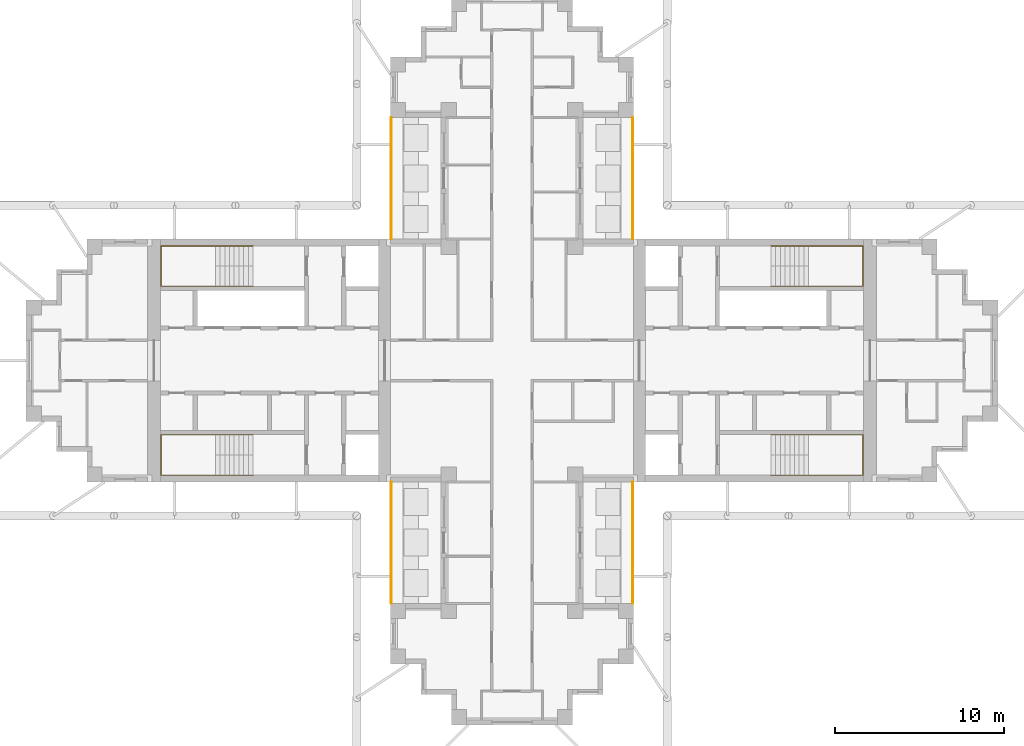
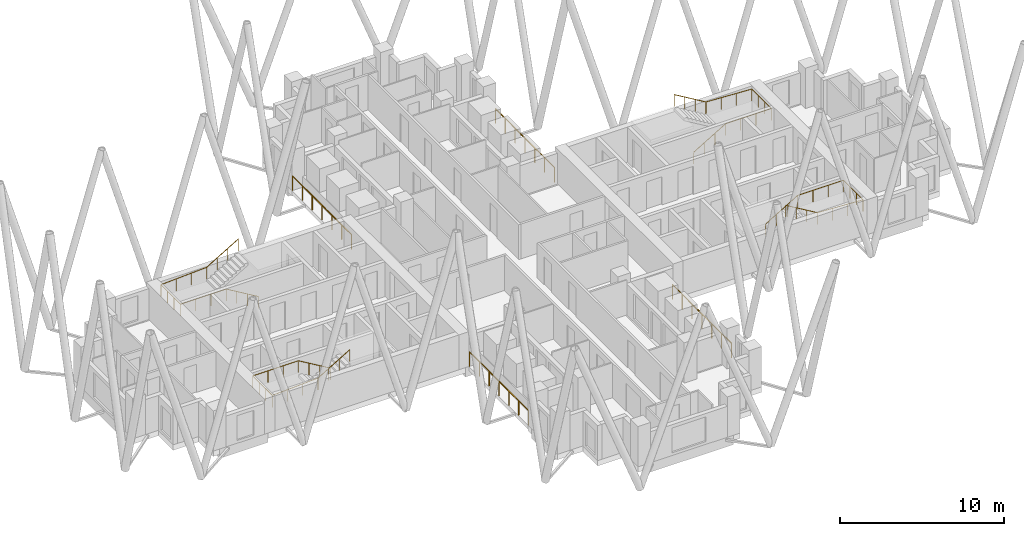
# One storey, part 10 of 11: 8 railings.
"""IFC4 building model written with IfcOpenShell, lengths in metres."""

from ifc_helpers import new_model, si_unit, direction, frame, origin, origin_2d, place, context, subcontext, project, spatial, circle, extrude, material, type_object, element, save


model = new_model("IFC4")

# Units and contexts
model_context = context("Model", 3, precision=1e-05, world=origin(), true_north=direction((0.0, 1.0)))
body_context = subcontext(model_context, "Body", "Model", "MODEL_VIEW")
ifc_project = project(units=[si_unit("LENGTHUNIT", "METRE"), si_unit("AREAUNIT", "SQUARE_METRE"), si_unit("VOLUMEUNIT", "CUBIC_METRE"), si_unit("PLANEANGLEUNIT", "RADIAN"), si_unit("MASSUNIT", "GRAM", prefix="KILO")], contexts=[model_context])

# Site, building, storey
site_placement = place(None, origin())
site = spatial("IfcSite", under=ifc_project, at=site_placement, CompositionType="ELEMENT")
building_placement = place(site_placement, origin())
building = spatial("IfcBuilding", under=site, at=building_placement, Name="Fustian Cross Tower", CompositionType="ELEMENT")
storey_placement = place(building_placement, frame((0.0, 0.0, 210.89990234375)))
storey = spatial("IfcBuildingStorey", under=building, at=storey_placement, Name="L66", CompositionType="ELEMENT", Elevation=210.89990234375)

# Railings
ifc_material_1 = material(Name="Stainless steel and glass", Category="steel")
railing_type_1 = type_object("IfcRailingType", Name="GR1 BALCONY GUARD 1100", PredefinedType="GUARDRAIL", material=ifc_material_1)
for number, where, name in (
    (1, (7.14990234375, 7.199951171875, 0.0), "Balcony guard"),
    (2, (-7.14990234375, 7.199951171875, 0.0), "Balcony guard"),
    (3, (7.14990234375, -14.39990234375, 0.0), "Balcony guard"),
    (4, (-7.14990234375, -14.39990234375, 0.0), "Balcony guard"),
):
    element("IfcRailing", number, at=place(storey_placement, frame(where)), inside=storey, type_object=railing_type_1, Name=name, PredefinedType="GUARDRAIL", context=body_context, shape_type="SweptSolid", body=[
        extrude(circle(Radius=0.02392578125, at=origin_2d()), frame((0.0, 0.0, 1.076171875), z_axis=(0.0, 1.0, 0.0), x_axis=(-1.0, 0.0, 0.0)), (0.0, 0.0, 1.0), 7.199951171875),
        extrude(circle(Radius=0.02099609375, at=origin_2d()), origin(), (0.0, 0.0, 1.0), 1.052001953125),
        extrude(circle(Radius=0.02099609375, at=origin_2d()), frame((0.0, 1.199951171875, 0.0)), (0.0, 0.0, 1.0), 1.052001953125),
        extrude(circle(Radius=0.02099609375, at=origin_2d()), frame((0.0, 2.39990234375, 0.0)), (0.0, 0.0, 1.0), 1.052001953125),
        extrude(circle(Radius=0.02099609375, at=origin_2d()), frame((0.0, 3.60009765625, 0.0)), (0.0, 0.0, 1.0), 1.052001953125),
        extrude(circle(Radius=0.02099609375, at=origin_2d()), frame((0.0, 4.800048828125, 0.0)), (0.0, 0.0, 1.0), 1.052001953125),
        extrude(circle(Radius=0.02099609375, at=origin_2d()), frame((0.0, 6.0, 0.0)), (0.0, 0.0, 1.0), 1.052001953125),
        extrude(circle(Radius=0.02099609375, at=origin_2d()), frame((0.0, 7.199951171875, 0.0)), (0.0, 0.0, 1.0), 1.052001953125),
    ])
ifc_material_2 = material(Name="Stainless steel", Category="steel")
railing_type_2 = type_object("IfcRailingType", Name="STAIR HANDRAIL", PredefinedType="HANDRAIL", material=ifc_material_2)
railing_1_placement = place(storey_placement, frame((15.35009765625, 4.39990234375, 0.166748046875)))
element("IfcRailing", 5, at=railing_1_placement, inside=storey, type_object=railing_type_2, Name="Stair ST1 handrail 1", PredefinedType="HANDRAIL", context=body_context, shape_type="SweptSolid", body=[
    extrude(circle(Radius=0.02490234375, at=origin_2d()), frame((0.0, 0.0, 0.875), z_axis=(0.859305625298, 0.0, 0.511462454469), x_axis=(0.0, 1.0, 0.0)), (0.0, 0.0, 1.0), 2.606689453125),
    extrude(circle(Radius=0.02490234375, at=origin_2d()), frame((2.239990234375, 0.0, 2.2080078125), z_axis=(1.0, 0.0, 0.0), x_axis=(0.0, 1.0, 0.0)), (0.0, 0.0, 1.0), 3.219970703125),
    extrude(circle(Radius=0.02490234375, at=origin_2d()), frame((5.4599609375, 0.0, 2.2080078125), z_axis=(0.0, 1.0, 0.0), x_axis=(-1.0, 0.0, 0.0)), (0.0, 0.0, 1.0), 2.400146484375),
    extrude(circle(Radius=0.02490234375, at=origin_2d()), frame((5.4599609375, 2.400146484375, 2.2080078125), z_axis=(-0.998661817807, 0.0, 0.051716280352), x_axis=(0.0, -1.0, 0.0)), (0.0, 0.0, 1.0), 3.224365234375),
    extrude(circle(Radius=0.02490234375, at=origin_2d()), frame((2.239990234375, 2.400146484375, 2.375), z_axis=(-0.859305625298, 0.0, 0.511462454469), x_axis=(0.0, -1.0, 0.0)), (0.0, 0.0, 1.0), 2.606689453125),
    extrude(circle(Radius=0.02001953125, at=origin_2d()), origin(), (0.0, 0.0, 1.0), 0.849853515625),
    extrude(circle(Radius=0.02001953125, at=origin_2d()), frame((0.74658203125, 0.0, 0.4443359375)), (0.0, 0.0, 1.0), 0.849853515625),
    extrude(circle(Radius=0.02001953125, at=origin_2d()), frame((1.493408203125, 0.0, 0.888916015625)), (0.0, 0.0, 1.0), 0.849853515625),
    extrude(circle(Radius=0.02001953125, at=origin_2d()), frame((2.239990234375, 0.0, 1.333251953125)), (0.0, 0.0, 1.0), 0.849853515625),
    extrude(circle(Radius=0.02001953125, at=origin_2d()), frame((3.313232421875, 0.0, 1.333251953125)), (0.0, 0.0, 1.0), 0.849853515625),
    extrude(circle(Radius=0.02001953125, at=origin_2d()), frame((4.38671875, 0.0, 1.333251953125)), (0.0, 0.0, 1.0), 0.849853515625),
    extrude(circle(Radius=0.02001953125, at=origin_2d()), frame((5.4599609375, 0.0, 1.333251953125)), (0.0, 0.0, 1.0), 0.849853515625),
    extrude(circle(Radius=0.02001953125, at=origin_2d()), frame((5.4599609375, 0.800048828125, 1.333251953125)), (0.0, 0.0, 1.0), 0.849853515625),
    extrude(circle(Radius=0.02001953125, at=origin_2d()), frame((5.4599609375, 1.60009765625, 1.333251953125)), (0.0, 0.0, 1.0), 0.849853515625),
    extrude(circle(Radius=0.02001953125, at=origin_2d()), frame((5.4599609375, 2.400146484375, 1.333251953125)), (0.0, 0.0, 1.0), 0.849853515625),
    extrude(circle(Radius=0.02001953125, at=origin_2d()), frame((4.38671875, 2.400146484375, 1.388916015625)), (0.0, 0.0, 1.0), 0.849853515625),
    extrude(circle(Radius=0.02001953125, at=origin_2d()), frame((3.313232421875, 2.400146484375, 1.4443359375)), (0.0, 0.0, 1.0), 0.849853515625),
    extrude(circle(Radius=0.02001953125, at=origin_2d()), frame((2.239990234375, 2.400146484375, 1.5)), (0.0, 0.0, 1.0), 0.849853515625),
    extrude(circle(Radius=0.02001953125, at=origin_2d()), frame((1.493408203125, 2.400146484375, 1.9443359375)), (0.0, 0.0, 1.0), 0.849853515625),
    extrude(circle(Radius=0.02001953125, at=origin_2d()), frame((0.74658203125, 2.400146484375, 2.388916015625)), (0.0, 0.0, 1.0), 0.849853515625),
    extrude(circle(Radius=0.02001953125, at=origin_2d()), frame((0.0, 2.400146484375, 2.833251953125)), (0.0, 0.0, 1.0), 0.849853515625),
])
railing_2_placement = place(storey_placement, frame((15.35009765625, -4.39990234375, 0.166748046875)))
element("IfcRailing", 6, at=railing_2_placement, inside=storey, type_object=railing_type_2, Name="Stair ST2 handrail 1", PredefinedType="HANDRAIL", context=body_context, shape_type="SweptSolid", body=[
    extrude(circle(Radius=0.02490234375, at=origin_2d()), frame((0.0, 0.0, 0.875), z_axis=(0.859305625298, 0.0, 0.511462454469), x_axis=(0.0, 1.0, 0.0)), (0.0, 0.0, 1.0), 2.606689453125),
    extrude(circle(Radius=0.02490234375, at=origin_2d()), frame((2.239990234375, 0.0, 2.2080078125), z_axis=(1.0, 0.0, 0.0), x_axis=(0.0, 1.0, 0.0)), (0.0, 0.0, 1.0), 3.219970703125),
    extrude(circle(Radius=0.02490234375, at=origin_2d()), frame((5.4599609375, 0.0, 2.2080078125), z_axis=(0.0, -1.0, 0.0), x_axis=(1.0, 0.0, 0.0)), (0.0, 0.0, 1.0), 2.400146484375),
    extrude(circle(Radius=0.02490234375, at=origin_2d()), frame((5.4599609375, -2.400146484375, 2.2080078125), z_axis=(-0.998661817807, 0.0, 0.051716280352), x_axis=(0.0, -1.0, 0.0)), (0.0, 0.0, 1.0), 3.224365234375),
    extrude(circle(Radius=0.02490234375, at=origin_2d()), frame((2.239990234375, -2.400146484375, 2.375), z_axis=(-0.859305625298, 0.0, 0.511462454469), x_axis=(0.0, -1.0, 0.0)), (0.0, 0.0, 1.0), 2.606689453125),
    extrude(circle(Radius=0.02001953125, at=origin_2d()), origin(), (0.0, 0.0, 1.0), 0.849853515625),
    extrude(circle(Radius=0.02001953125, at=origin_2d()), frame((0.74658203125, 0.0, 0.4443359375)), (0.0, 0.0, 1.0), 0.849853515625),
    extrude(circle(Radius=0.02001953125, at=origin_2d()), frame((1.493408203125, 0.0, 0.888916015625)), (0.0, 0.0, 1.0), 0.849853515625),
    extrude(circle(Radius=0.02001953125, at=origin_2d()), frame((2.239990234375, 0.0, 1.333251953125)), (0.0, 0.0, 1.0), 0.849853515625),
    extrude(circle(Radius=0.02001953125, at=origin_2d()), frame((3.313232421875, 0.0, 1.333251953125)), (0.0, 0.0, 1.0), 0.849853515625),
    extrude(circle(Radius=0.02001953125, at=origin_2d()), frame((4.38671875, 0.0, 1.333251953125)), (0.0, 0.0, 1.0), 0.849853515625),
    extrude(circle(Radius=0.02001953125, at=origin_2d()), frame((5.4599609375, 0.0, 1.333251953125)), (0.0, 0.0, 1.0), 0.849853515625),
    extrude(circle(Radius=0.02001953125, at=origin_2d()), frame((5.4599609375, -0.800048828125, 1.333251953125)), (0.0, 0.0, 1.0), 0.849853515625),
    extrude(circle(Radius=0.02001953125, at=origin_2d()), frame((5.4599609375, -1.60009765625, 1.333251953125)), (0.0, 0.0, 1.0), 0.849853515625),
    extrude(circle(Radius=0.02001953125, at=origin_2d()), frame((5.4599609375, -2.400146484375, 1.333251953125)), (0.0, 0.0, 1.0), 0.849853515625),
    extrude(circle(Radius=0.02001953125, at=origin_2d()), frame((4.38671875, -2.400146484375, 1.388916015625)), (0.0, 0.0, 1.0), 0.849853515625),
    extrude(circle(Radius=0.02001953125, at=origin_2d()), frame((3.313232421875, -2.400146484375, 1.4443359375)), (0.0, 0.0, 1.0), 0.849853515625),
    extrude(circle(Radius=0.02001953125, at=origin_2d()), frame((2.239990234375, -2.400146484375, 1.5)), (0.0, 0.0, 1.0), 0.849853515625),
    extrude(circle(Radius=0.02001953125, at=origin_2d()), frame((1.493408203125, -2.400146484375, 1.9443359375)), (0.0, 0.0, 1.0), 0.849853515625),
    extrude(circle(Radius=0.02001953125, at=origin_2d()), frame((0.74658203125, -2.400146484375, 2.388916015625)), (0.0, 0.0, 1.0), 0.849853515625),
    extrude(circle(Radius=0.02001953125, at=origin_2d()), frame((0.0, -2.400146484375, 2.833251953125)), (0.0, 0.0, 1.0), 0.849853515625),
])
railing_3_placement = place(storey_placement, frame((-15.35009765625, 4.39990234375, 0.166748046875)))
element("IfcRailing", 7, at=railing_3_placement, inside=storey, type_object=railing_type_2, Name="Stair ST3 handrail 1", PredefinedType="HANDRAIL", context=body_context, shape_type="SweptSolid", body=[
    extrude(circle(Radius=0.02490234375, at=origin_2d()), frame((0.0, 0.0, 0.875), z_axis=(-0.859305625298, 0.0, 0.511462454469), x_axis=(0.0, -1.0, 0.0)), (0.0, 0.0, 1.0), 2.606689453125),
    extrude(circle(Radius=0.02490234375, at=origin_2d()), frame((-2.239990234375, 0.0, 2.2080078125), z_axis=(-1.0, 0.0, 0.0), x_axis=(0.0, -1.0, 0.0)), (0.0, 0.0, 1.0), 3.219970703125),
    extrude(circle(Radius=0.02490234375, at=origin_2d()), frame((-5.4599609375, 0.0, 2.2080078125), z_axis=(0.0, 1.0, 0.0), x_axis=(-1.0, 0.0, 0.0)), (0.0, 0.0, 1.0), 2.400146484375),
    extrude(circle(Radius=0.02490234375, at=origin_2d()), frame((-5.4599609375, 2.400146484375, 2.2080078125), z_axis=(0.998661817807, 0.0, 0.051716280352), x_axis=(0.0, 1.0, 0.0)), (0.0, 0.0, 1.0), 3.224365234375),
    extrude(circle(Radius=0.02490234375, at=origin_2d()), frame((-2.239990234375, 2.400146484375, 2.375), z_axis=(0.859305625298, 0.0, 0.511462454469), x_axis=(0.0, 1.0, 0.0)), (0.0, 0.0, 1.0), 2.606689453125),
    extrude(circle(Radius=0.02001953125, at=origin_2d()), origin(), (0.0, 0.0, 1.0), 0.849853515625),
    extrude(circle(Radius=0.02001953125, at=origin_2d()), frame((-0.74658203125, 0.0, 0.4443359375)), (0.0, 0.0, 1.0), 0.849853515625),
    extrude(circle(Radius=0.02001953125, at=origin_2d()), frame((-1.493408203125, 0.0, 0.888916015625)), (0.0, 0.0, 1.0), 0.849853515625),
    extrude(circle(Radius=0.02001953125, at=origin_2d()), frame((-2.239990234375, 0.0, 1.333251953125)), (0.0, 0.0, 1.0), 0.849853515625),
    extrude(circle(Radius=0.02001953125, at=origin_2d()), frame((-3.313232421875, 0.0, 1.333251953125)), (0.0, 0.0, 1.0), 0.849853515625),
    extrude(circle(Radius=0.02001953125, at=origin_2d()), frame((-4.38671875, 0.0, 1.333251953125)), (0.0, 0.0, 1.0), 0.849853515625),
    extrude(circle(Radius=0.02001953125, at=origin_2d()), frame((-5.4599609375, 0.0, 1.333251953125)), (0.0, 0.0, 1.0), 0.849853515625),
    extrude(circle(Radius=0.02001953125, at=origin_2d()), frame((-5.4599609375, 0.800048828125, 1.333251953125)), (0.0, 0.0, 1.0), 0.849853515625),
    extrude(circle(Radius=0.02001953125, at=origin_2d()), frame((-5.4599609375, 1.60009765625, 1.333251953125)), (0.0, 0.0, 1.0), 0.849853515625),
    extrude(circle(Radius=0.02001953125, at=origin_2d()), frame((-5.4599609375, 2.400146484375, 1.333251953125)), (0.0, 0.0, 1.0), 0.849853515625),
    extrude(circle(Radius=0.02001953125, at=origin_2d()), frame((-4.38671875, 2.400146484375, 1.388916015625)), (0.0, 0.0, 1.0), 0.849853515625),
    extrude(circle(Radius=0.02001953125, at=origin_2d()), frame((-3.313232421875, 2.400146484375, 1.4443359375)), (0.0, 0.0, 1.0), 0.849853515625),
    extrude(circle(Radius=0.02001953125, at=origin_2d()), frame((-2.239990234375, 2.400146484375, 1.5)), (0.0, 0.0, 1.0), 0.849853515625),
    extrude(circle(Radius=0.02001953125, at=origin_2d()), frame((-1.493408203125, 2.400146484375, 1.9443359375)), (0.0, 0.0, 1.0), 0.849853515625),
    extrude(circle(Radius=0.02001953125, at=origin_2d()), frame((-0.74658203125, 2.400146484375, 2.388916015625)), (0.0, 0.0, 1.0), 0.849853515625),
    extrude(circle(Radius=0.02001953125, at=origin_2d()), frame((0.0, 2.400146484375, 2.833251953125)), (0.0, 0.0, 1.0), 0.849853515625),
])
railing_4_placement = place(storey_placement, frame((-15.35009765625, -4.39990234375, 0.166748046875)))
element("IfcRailing", 8, at=railing_4_placement, inside=storey, type_object=railing_type_2, Name="Stair ST4 handrail 1", PredefinedType="HANDRAIL", context=body_context, shape_type="SweptSolid", body=[
    extrude(circle(Radius=0.02490234375, at=origin_2d()), frame((0.0, 0.0, 0.875), z_axis=(-0.859305625298, 0.0, 0.511462454469), x_axis=(0.0, -1.0, 0.0)), (0.0, 0.0, 1.0), 2.606689453125),
    extrude(circle(Radius=0.02490234375, at=origin_2d()), frame((-2.239990234375, 0.0, 2.2080078125), z_axis=(-1.0, 0.0, 0.0), x_axis=(0.0, -1.0, 0.0)), (0.0, 0.0, 1.0), 3.219970703125),
    extrude(circle(Radius=0.02490234375, at=origin_2d()), frame((-5.4599609375, 0.0, 2.2080078125), z_axis=(0.0, -1.0, 0.0), x_axis=(1.0, 0.0, 0.0)), (0.0, 0.0, 1.0), 2.400146484375),
    extrude(circle(Radius=0.02490234375, at=origin_2d()), frame((-5.4599609375, -2.400146484375, 2.2080078125), z_axis=(0.998661817807, 0.0, 0.051716280352), x_axis=(0.0, 1.0, 0.0)), (0.0, 0.0, 1.0), 3.224365234375),
    extrude(circle(Radius=0.02490234375, at=origin_2d()), frame((-2.239990234375, -2.400146484375, 2.375), z_axis=(0.859305625298, 0.0, 0.511462454469), x_axis=(0.0, 1.0, 0.0)), (0.0, 0.0, 1.0), 2.606689453125),
    extrude(circle(Radius=0.02001953125, at=origin_2d()), origin(), (0.0, 0.0, 1.0), 0.849853515625),
    extrude(circle(Radius=0.02001953125, at=origin_2d()), frame((-0.74658203125, 0.0, 0.4443359375)), (0.0, 0.0, 1.0), 0.849853515625),
    extrude(circle(Radius=0.02001953125, at=origin_2d()), frame((-1.493408203125, 0.0, 0.888916015625)), (0.0, 0.0, 1.0), 0.849853515625),
    extrude(circle(Radius=0.02001953125, at=origin_2d()), frame((-2.239990234375, 0.0, 1.333251953125)), (0.0, 0.0, 1.0), 0.849853515625),
    extrude(circle(Radius=0.02001953125, at=origin_2d()), frame((-3.313232421875, 0.0, 1.333251953125)), (0.0, 0.0, 1.0), 0.849853515625),
    extrude(circle(Radius=0.02001953125, at=origin_2d()), frame((-4.38671875, 0.0, 1.333251953125)), (0.0, 0.0, 1.0), 0.849853515625),
    extrude(circle(Radius=0.02001953125, at=origin_2d()), frame((-5.4599609375, 0.0, 1.333251953125)), (0.0, 0.0, 1.0), 0.849853515625),
    extrude(circle(Radius=0.02001953125, at=origin_2d()), frame((-5.4599609375, -0.800048828125, 1.333251953125)), (0.0, 0.0, 1.0), 0.849853515625),
    extrude(circle(Radius=0.02001953125, at=origin_2d()), frame((-5.4599609375, -1.60009765625, 1.333251953125)), (0.0, 0.0, 1.0), 0.849853515625),
    extrude(circle(Radius=0.02001953125, at=origin_2d()), frame((-5.4599609375, -2.400146484375, 1.333251953125)), (0.0, 0.0, 1.0), 0.849853515625),
    extrude(circle(Radius=0.02001953125, at=origin_2d()), frame((-4.38671875, -2.400146484375, 1.388916015625)), (0.0, 0.0, 1.0), 0.849853515625),
    extrude(circle(Radius=0.02001953125, at=origin_2d()), frame((-3.313232421875, -2.400146484375, 1.4443359375)), (0.0, 0.0, 1.0), 0.849853515625),
    extrude(circle(Radius=0.02001953125, at=origin_2d()), frame((-2.239990234375, -2.400146484375, 1.5)), (0.0, 0.0, 1.0), 0.849853515625),
    extrude(circle(Radius=0.02001953125, at=origin_2d()), frame((-1.493408203125, -2.400146484375, 1.9443359375)), (0.0, 0.0, 1.0), 0.849853515625),
    extrude(circle(Radius=0.02001953125, at=origin_2d()), frame((-0.74658203125, -2.400146484375, 2.388916015625)), (0.0, 0.0, 1.0), 0.849853515625),
    extrude(circle(Radius=0.02001953125, at=origin_2d()), frame((0.0, -2.400146484375, 2.833251953125)), (0.0, 0.0, 1.0), 0.849853515625),
])

save(model, "model.ifc")
